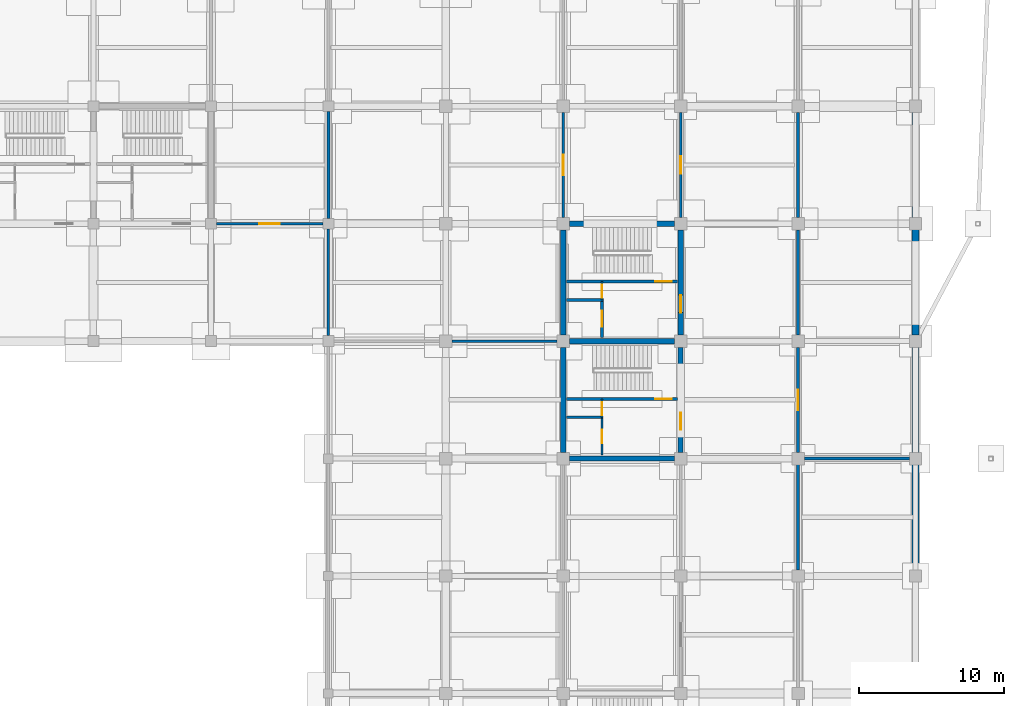
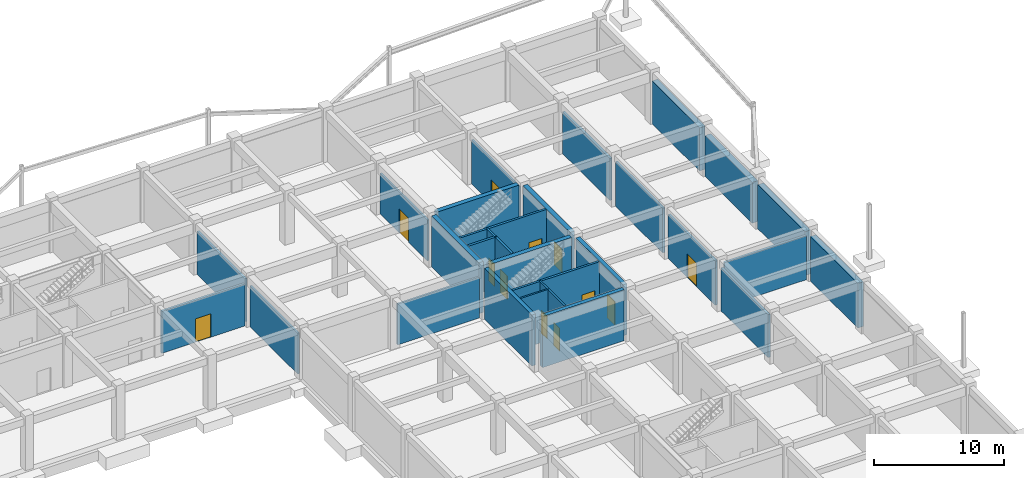
# One storey, part 53 of 67: 30 walls, 12 doors, 12 openings.
"""IFC4 building model written with IfcOpenShell, lengths in metres."""

from ifc_helpers import new_model, si_unit, direction, frame, frame_2d, origin, place, context, subcontext, project, spatial, rectangle, extrude, material, layer, layer_set, type_object, element, fill, save


model = new_model("IFC4")

# Units and contexts
model_context = context("Model", 3, precision=1e-05, world=origin(), true_north=direction((0.0, 1.0)))
body_context = subcontext(model_context, "Body", "Model", "MODEL_VIEW")
ifc_project = project(units=[si_unit("LENGTHUNIT", "METRE"), si_unit("AREAUNIT", "SQUARE_METRE"), si_unit("VOLUMEUNIT", "CUBIC_METRE"), si_unit("PLANEANGLEUNIT", "RADIAN"), si_unit("MASSUNIT", "GRAM", prefix="KILO")], contexts=[model_context])

# Site, building, storey
site_placement = place(None, origin())
site = spatial("IfcSite", under=ifc_project, at=site_placement, CompositionType="ELEMENT")
building_placement = place(site_placement, origin())
building = spatial("IfcBuilding", under=site, at=building_placement, Name="Vaudrelin Polytechnic", CompositionType="ELEMENT")
storey_placement = place(building_placement, frame((0.0, 0.0, -5.10009765625)))
storey = spatial("IfcBuildingStorey", under=building, at=storey_placement, Name="B1", CompositionType="ELEMENT", Elevation=-5.10009765625)

# Wall, opening, door
ifc_material_1 = material(Name="Concrete masonry unit 20 MPa shaft & corridor fire wall", Category="masonry")
ifc_layer_1 = layer(ifc_material_1, 0.199951171875)
ifc_layer_set_1 = layer_set([ifc_layer_1], Name="Concrete masonry unit 20 MPa shaft & corridor fire wall")
wall_type_1 = type_object("IfcWallType", Name="WAL-PW-FIRE120", PredefinedType="PARTITIONING", material=ifc_layer_set_1)
wall_1_placement = place(storey_placement, frame((121.873046875, 105.300048828125, 0.0), z_axis=(0.0, 0.0, 1.0), x_axis=(1.0, 0.0, 0.0)))
wall_1 = element("IfcWall", 1, at=wall_1_placement, inside=storey, type_object=wall_type_1, Name="Partition B1-015 S", PredefinedType="PARTITIONING", context=body_context, shape_type="SweptSolid", body=[
    extrude(rectangle(XDim=7.35400390625, YDim=0.199951171875, at=frame_2d((3.677001953125, 0.0))), origin(), (0.0, 0.0, 1.0), 3.93212890625),
])
opening_1_placement = place(wall_1_placement, frame((2.97705078125, 0.0, 0.0)))
opening_1 = element("IfcOpeningElement", 2, at=opening_1_placement, cuts=wall_1, Name="Opening D-B1-402", PredefinedType="OPENING", context=body_context, shape_type="SweptSolid", body=[
    extrude(rectangle(XDim=1.39990234375, YDim=2.199951171875, at=frame_2d((0.699951171875, 1.10009765625))), frame((0.0, 0.10986328125, 0.0), z_axis=(0.0, -1.0, 0.0), x_axis=(1.0, 0.0, 0.0)), (0.0, 0.0, 1.0), 0.219970703125),
])
ifc_material_2 = material(Name="Pressed galvanised steel acoustic leaf", Category="steel")
door_type_1 = type_object("IfcDoorType", Name="DOR-ID-PLT1", OperationType="NOTDEFINED", PredefinedType="DOOR", material=ifc_material_2)
door_1_placement = place(opening_1_placement, origin())
door_1 = element("IfcDoor", 3, at=door_1_placement, inside=storey, type_object=door_type_1, Name="Transformer Vault and UPS Room door B1-015", OperationType="DOUBLE_SWING_LEFT", OverallHeight=2.199951171875, OverallWidth=1.39990234375, PredefinedType="DOOR", context=body_context, shape_type="SweptSolid", body=[
    extrude(rectangle(XDim=1.39990234375, YDim=2.199951171875, at=frame_2d((0.699951171875, 1.10009765625))), frame((0.0, 0.02490234375, 0.0), z_axis=(0.0, -1.0, 0.0), x_axis=(1.0, 0.0, 0.0)), (0.0, 0.0, 1.0), 0.050048828125),
])
fill(opening_1, door_1)

# Walls
wall_2_placement = place(storey_placement, frame((129.60009765625, 105.673095703125, 0.0), z_axis=(0.0, 0.0, 1.0), x_axis=(0.0, 1.0, 0.0)))
element("IfcWall", 4, at=wall_2_placement, inside=storey, type_object=wall_type_1, Name="Partition B1-015 E", PredefinedType="PARTITIONING", context=body_context, shape_type="SweptSolid", body=[
    extrude(rectangle(XDim=7.35400390625, YDim=0.199951171875, at=frame_2d((3.677001953125, 0.0))), origin(), (0.0, 0.0, 1.0), 4.031982421875),
])
wall_3_placement = place(storey_placement, frame((162.0, 81.423095703125, 0.0), z_axis=(0.0, 0.0, 1.0), x_axis=(0.0, 1.0, 0.0)))
element("IfcWall", 5, at=wall_3_placement, inside=storey, type_object=wall_type_1, Name="Partition B1-027 W", PredefinedType="PARTITIONING", context=body_context, shape_type="SweptSolid", body=[
    extrude(rectangle(XDim=7.25390625, YDim=0.199951171875, at=frame_2d((3.626953125, 0.0))), origin(), (0.0, 0.0, 1.0), 4.031982421875),
])
wall_4_placement = place(storey_placement, frame((162.423095703125, 89.10009765625, 0.0), z_axis=(0.0, 0.0, 1.0), x_axis=(1.0, 0.0, 0.0)))
element("IfcWall", 6, at=wall_4_placement, inside=storey, type_object=wall_type_1, Name="Partition B1-027 N", PredefinedType="PARTITIONING", context=body_context, shape_type="SweptSolid", body=[
    extrude(rectangle(XDim=7.25390625, YDim=0.199951171875, at=frame_2d((3.626953125, 0.0))), origin(), (0.0, 0.0, 1.0), 4.132080078125),
])

# Wall, opening, door
wall_5_placement = place(storey_placement, frame((162.0, 89.52294921875, 0.0), z_axis=(0.0, 0.0, 1.0), x_axis=(0.0, 1.0, 0.0)))
wall_5 = element("IfcWall", 7, at=wall_5_placement, inside=storey, type_object=wall_type_1, Name="Partition B1-028 W", PredefinedType="PARTITIONING", context=body_context, shape_type="SweptSolid", body=[
    extrude(rectangle(XDim=7.254150390625, YDim=0.199951171875, at=frame_2d((3.626953125, 0.0))), origin(), (0.0, 0.0, 1.0), 4.132080078125),
])
opening_2_placement = place(wall_5_placement, frame((2.927001953125, 0.0, 0.0)))
opening_2 = element("IfcOpeningElement", 8, at=opening_2_placement, cuts=wall_5, Name="Opening D-B1-414", PredefinedType="OPENING", context=body_context, shape_type="SweptSolid", body=[
    extrude(rectangle(XDim=1.39990234375, YDim=2.199951171875, at=frame_2d((0.699951171875, 1.10009765625))), frame((0.0, 0.10986328125, 0.0), z_axis=(0.0, -1.0, 0.0), x_axis=(1.0, 0.0, 0.0)), (0.0, 0.0, 1.0), 0.219970703125),
])
door_2_placement = place(opening_2_placement, origin())
door_2 = element("IfcDoor", 9, at=door_2_placement, inside=storey, type_object=door_type_1, Name="Campus Receiving and Waste Compaction Room door B1-028", OperationType="DOUBLE_SWING_LEFT", OverallHeight=2.199951171875, OverallWidth=1.39990234375, PredefinedType="DOOR", context=body_context, shape_type="SweptSolid", body=[
    extrude(rectangle(XDim=1.39990234375, YDim=2.199951171875, at=frame_2d((0.699951171875, 1.10009765625))), frame((0.0, 0.02490234375, 0.0), z_axis=(0.0, -1.0, 0.0), x_axis=(1.0, 0.0, 0.0)), (0.0, 0.0, 1.0), 0.050048828125),
])
fill(opening_2, door_2)

# Walls
wall_6_placement = place(storey_placement, frame((162.0, 97.623046875, 0.0), z_axis=(0.0, 0.0, 1.0), x_axis=(0.0, 1.0, 0.0)))
element("IfcWall", 10, at=wall_6_placement, inside=storey, type_object=wall_type_1, Name="Partition B1-028 W", PredefinedType="PARTITIONING", context=body_context, shape_type="SweptSolid", body=[
    extrude(rectangle(XDim=7.25390625, YDim=0.199951171875, at=frame_2d((3.626953125, 0.0))), origin(), (0.0, 0.0, 1.0), 4.18212890625),
])
wall_7_placement = place(storey_placement, frame((162.0, 105.722900390625, 0.0), z_axis=(0.0, 0.0, 1.0), x_axis=(0.0, 1.0, 0.0)))
element("IfcWall", 11, at=wall_7_placement, inside=storey, type_object=wall_type_1, Name="Partition B1-028 W", PredefinedType="PARTITIONING", context=body_context, shape_type="SweptSolid", body=[
    extrude(rectangle(XDim=7.254150390625, YDim=0.199951171875, at=frame_2d((3.626953125, 0.0))), origin(), (0.0, 0.0, 1.0), 3.93212890625),
])

# Wall, opening, door
ifc_material_3 = material(Name="Fire-rated steel-stud gypsum compartment wall", Category="steel")
ifc_layer_2 = layer(ifc_material_3, 0.14990234375)
ifc_layer_set_2 = layer_set([ifc_layer_2], Name="Fire-rated steel-stud gypsum compartment wall")
wall_type_2 = type_object("IfcWallType", Name="WAL-PW-FIRE60", PredefinedType="PARTITIONING", material=ifc_layer_set_2)
wall_8_placement = place(storey_placement, frame((148.47998046875, 100.050048828125, 0.0), z_axis=(0.0, 0.0, 1.0), x_axis=(0.0, 1.0, 0.0)))
wall_8 = element("IfcWall", 12, at=wall_8_placement, inside=storey, type_object=wall_type_2, Name="Core C6 riser enclosure wall B1", PredefinedType="PARTITIONING", context=body_context, shape_type="SweptSolid", body=[
    extrude(rectangle(XDim=1.260009765625, YDim=0.14990234375, at=frame_2d((0.6298828125, 0.0))), origin(), (0.0, 0.0, 1.0), 4.781982421875),
])
opening_3_placement = place(wall_8_placement, frame((0.139892578125, 0.0, 0.0)))
opening_3 = element("IfcOpeningElement", 13, at=opening_3_placement, cuts=wall_8, Name="Opening D-B1-086", PredefinedType="OPENING", context=body_context, shape_type="SweptSolid", body=[
    extrude(rectangle(XDim=0.89990234375, YDim=2.14990234375, at=frame_2d((0.449951171875, 1.074951171875))), frame((0.0, 0.0849609375, 0.0), z_axis=(0.0, -1.0, 0.0), x_axis=(1.0, 0.0, 0.0)), (0.0, 0.0, 1.0), 0.169921875),
])
door_type_2 = type_object("IfcDoorType", Name="DOR-ID-RSR1", OperationType="NOTDEFINED", PredefinedType="DOOR", material=ifc_material_2)
door_3_placement = place(opening_3_placement, origin())
door_3 = element("IfcDoor", 14, at=door_3_placement, inside=storey, type_object=door_type_2, Name="Core C6 riser access door B1", OperationType="SINGLE_SWING_RIGHT", OverallHeight=2.14990234375, OverallWidth=0.89990234375, PredefinedType="DOOR", context=body_context, shape_type="SweptSolid", body=[
    extrude(rectangle(XDim=0.89990234375, YDim=2.14990234375, at=frame_2d((0.449951171875, 1.074951171875))), frame((0.0, 0.02490234375, 0.0), z_axis=(0.0, -1.0, 0.0), x_axis=(1.0, 0.0, 0.0)), (0.0, 0.0, 1.0), 0.050048828125),
])
fill(opening_3, door_3)

wall_9_placement = place(storey_placement, frame((148.47998046875, 91.949951171875, 0.0), z_axis=(0.0, 0.0, 1.0), x_axis=(0.0, 1.0, 0.0)))
wall_9 = element("IfcWall", 15, at=wall_9_placement, inside=storey, type_object=wall_type_2, Name="Core C13 riser enclosure wall B1", PredefinedType="PARTITIONING", context=body_context, shape_type="SweptSolid", body=[
    extrude(rectangle(XDim=1.260009765625, YDim=0.14990234375, at=frame_2d((0.6298828125, 0.0))), origin(), (0.0, 0.0, 1.0), 4.781982421875),
])
opening_4_placement = place(wall_9_placement, frame((0.139892578125, 0.0, 0.0)))
opening_4 = element("IfcOpeningElement", 16, at=opening_4_placement, cuts=wall_9, Name="Opening D-B1-295", PredefinedType="OPENING", context=body_context, shape_type="SweptSolid", body=[
    extrude(rectangle(XDim=0.89990234375, YDim=2.14990234375, at=frame_2d((0.449951171875, 1.074951171875))), frame((0.0, 0.0849609375, 0.0), z_axis=(0.0, -1.0, 0.0), x_axis=(1.0, 0.0, 0.0)), (0.0, 0.0, 1.0), 0.169921875),
])
door_4_placement = place(opening_4_placement, origin())
door_4 = element("IfcDoor", 17, at=door_4_placement, inside=storey, type_object=door_type_2, Name="Core C13 riser access door B1", OperationType="SINGLE_SWING_RIGHT", OverallHeight=2.14990234375, OverallWidth=0.89990234375, PredefinedType="DOOR", context=body_context, shape_type="SweptSolid", body=[
    extrude(rectangle(XDim=0.89990234375, YDim=2.14990234375, at=frame_2d((0.449951171875, 1.074951171875))), frame((0.0, 0.02490234375, 0.0), z_axis=(0.0, -1.0, 0.0), x_axis=(1.0, 0.0, 0.0)), (0.0, 0.0, 1.0), 0.050048828125),
])
fill(opening_4, door_4)

# Wall
wall_10_placement = place(storey_placement, frame((146.02001953125, 91.949951171875, 0.0), z_axis=(0.0, 0.0, 1.0), x_axis=(1.0, 0.0, 0.0)))
element("IfcWall", 18, at=wall_10_placement, inside=storey, type_object=wall_type_2, Name="Core C13 riser south fire wall B1", PredefinedType="PARTITIONING", context=body_context, shape_type="SweptSolid", body=[
    extrude(rectangle(XDim=2.530029296875, YDim=0.14990234375, at=frame_2d((1.26513671875, 0.0))), origin(), (0.0, 0.0, 1.0), 4.781982421875),
])

# Wall, opening, door
wall_11_placement = place(storey_placement, frame((148.47998046875, 89.35009765625, 0.0), z_axis=(0.0, 0.0, 1.0), x_axis=(0.0, 1.0, 0.0)))
wall_11 = element("IfcWall", 19, at=wall_11_placement, inside=storey, type_object=wall_type_2, Name="Core C13 custodial enclosure wall B1", PredefinedType="PARTITIONING", context=body_context, shape_type="SweptSolid", body=[
    extrude(rectangle(XDim=2.599853515625, YDim=0.14990234375, at=frame_2d((1.2998046875, 0.0))), origin(), (0.0, 0.0, 1.0), 4.781982421875),
])
opening_5_placement = place(wall_11_placement, frame((0.800048828125, 0.0, 0.0)))
opening_5 = element("IfcOpeningElement", 20, at=opening_5_placement, cuts=wall_11, Name="Opening D-B1-296", PredefinedType="OPENING", context=body_context, shape_type="SweptSolid", body=[
    extrude(rectangle(XDim=0.949951171875, YDim=2.14990234375, at=frame_2d((0.47509765625, 1.074951171875))), frame((0.0, 0.0849609375, 0.0), z_axis=(0.0, -1.0, 0.0), x_axis=(1.0, 0.0, 0.0)), (0.0, 0.0, 1.0), 0.169921875),
])
door_type_3 = type_object("IfcDoorType", Name="DOR-ID-STR1", OperationType="NOTDEFINED", PredefinedType="DOOR", material=ifc_material_2)
door_5_placement = place(opening_5_placement, origin())
door_5 = element("IfcDoor", 21, at=door_5_placement, inside=storey, type_object=door_type_3, Name="Core C13 custodial door B1", OperationType="SINGLE_SWING_RIGHT", OverallHeight=2.14990234375, OverallWidth=0.949951171875, PredefinedType="DOOR", context=body_context, shape_type="SweptSolid", body=[
    extrude(rectangle(XDim=0.949951171875, YDim=2.14990234375, at=frame_2d((0.47509765625, 1.074951171875))), frame((0.0, 0.02490234375, 0.0), z_axis=(0.0, -1.0, 0.0), x_axis=(1.0, 0.0, 0.0)), (0.0, 0.0, 1.0), 0.050048828125),
])
fill(opening_5, door_5)

# Wall
ifc_material_4 = material(Name="Moisture- and chemical-resistant laboratory partition", Category="gypsum")
ifc_layer_3 = layer(ifc_material_4, 0.159912109375)
ifc_layer_set_3 = layer_set([ifc_layer_3], Name="Moisture- and chemical-resistant laboratory partition")
wall_type_3 = type_object("IfcWallType", Name="WAL-PW-LAB160", PredefinedType="PARTITIONING", material=ifc_layer_set_3)
wall_12_placement = place(storey_placement, frame((138.123046875, 97.199951171875, 0.0), z_axis=(0.0, 0.0, 1.0), x_axis=(1.0, 0.0, 0.0)))
element("IfcWall", 22, at=wall_12_placement, inside=storey, type_object=wall_type_3, Name="Partition B1-021 N", PredefinedType="PARTITIONING", context=body_context, shape_type="SweptSolid", body=[
    extrude(rectangle(XDim=7.25390625, YDim=0.159912109375, at=frame_2d((3.626953125, 0.0))), origin(), (0.0, 0.0, 1.0), 3.83203125),
])

# Wall, opening, door
wall_13_placement = place(storey_placement, frame((145.800048828125, 105.722900390625, 0.0), z_axis=(0.0, 0.0, 1.0), x_axis=(0.0, 1.0, 0.0)))
wall_13 = element("IfcWall", 23, at=wall_13_placement, inside=storey, type_object=wall_type_3, Name="Partition B1-023 E", PredefinedType="PARTITIONING", context=body_context, shape_type="SweptSolid", body=[
    extrude(rectangle(XDim=7.254150390625, YDim=0.159912109375, at=frame_2d((3.626953125, 0.0))), origin(), (0.0, 0.0, 1.0), 3.83203125),
])
opening_6_placement = place(wall_13_placement, frame((2.9169921875, 0.0, 0.0)))
opening_6 = element("IfcOpeningElement", 24, at=opening_6_placement, cuts=wall_13, Name="Opening D-B1-410", PredefinedType="OPENING", context=body_context, shape_type="SweptSolid", body=[
    extrude(rectangle(XDim=1.419921875, YDim=2.25, at=frame_2d((0.7099609375, 1.125))), frame((0.0, 0.08984375, 0.0), z_axis=(0.0, -1.0, 0.0), x_axis=(1.0, 0.0, 0.0)), (0.0, 0.0, 1.0), 0.179931640625),
])
door_type_4 = type_object("IfcDoorType", Name="DOR-ID-LAB4", OperationType="NOTDEFINED", PredefinedType="DOOR", material=ifc_material_2)
door_6_placement = place(opening_6_placement, origin())
door_6 = element("IfcDoor", 25, at=door_6_placement, inside=storey, type_object=door_type_4, Name="High-Voltage Power Systems Laboratory door B1-023", OperationType="DOUBLE_SWING_LEFT", OverallHeight=2.25, OverallWidth=1.419921875, PredefinedType="DOOR", context=body_context, shape_type="SweptSolid", body=[
    extrude(rectangle(XDim=1.419921875, YDim=2.25, at=frame_2d((0.7099609375, 1.125))), frame((0.0, 0.02490234375, 0.0), z_axis=(0.0, -1.0, 0.0), x_axis=(1.0, 0.0, 0.0)), (0.0, 0.0, 1.0), 0.050048828125),
])
fill(opening_6, door_6)

# Wall
wall_14_placement = place(storey_placement, frame((129.60009765625, 97.572998046875, 0.0), z_axis=(0.0, 0.0, 1.0), x_axis=(0.0, 1.0, 0.0)))
element("IfcWall", 26, at=wall_14_placement, inside=storey, type_object=wall_type_3, Name="Partition B1-023 W", PredefinedType="PARTITIONING", context=body_context, shape_type="SweptSolid", body=[
    extrude(rectangle(XDim=7.35400390625, YDim=0.159912109375, at=frame_2d((3.677001953125, 0.0))), origin(), (0.0, 0.0, 1.0), 3.83203125),
])

# Wall, opening, door
wall_15_placement = place(storey_placement, frame((153.89990234375, 105.722900390625, 0.0), z_axis=(0.0, 0.0, 1.0), x_axis=(0.0, 1.0, 0.0)))
wall_15 = element("IfcWall", 27, at=wall_15_placement, inside=storey, type_object=wall_type_3, Name="Partition B1-024 E", PredefinedType="PARTITIONING", context=body_context, shape_type="SweptSolid", body=[
    extrude(rectangle(XDim=7.254150390625, YDim=0.159912109375, at=frame_2d((3.626953125, 0.0))), origin(), (0.0, 0.0, 1.0), 4.132080078125),
])
opening_7_placement = place(wall_15_placement, frame((3.027099609375, 0.0, 0.0)))
opening_7 = element("IfcOpeningElement", 28, at=opening_7_placement, cuts=wall_15, Name="Opening D-B1-411", PredefinedType="OPENING", context=body_context, shape_type="SweptSolid", body=[
    extrude(rectangle(XDim=1.199951171875, YDim=2.199951171875, at=frame_2d((0.60009765625, 1.10009765625))), frame((0.0, 0.08984375, 0.0), z_axis=(0.0, -1.0, 0.0), x_axis=(1.0, 0.0, 0.0)), (0.0, 0.0, 1.0), 0.179931640625),
])
door_type_5 = type_object("IfcDoorType", Name="DOR-ID-LAB2", OperationType="NOTDEFINED", PredefinedType="DOOR", material=ifc_material_2)
door_7_placement = place(opening_7_placement, origin())
door_7 = element("IfcDoor", 29, at=door_7_placement, inside=storey, type_object=door_type_5, Name="Dielectric Testing Alcove Laboratory door B1-024", OperationType="SINGLE_SWING_RIGHT", OverallHeight=2.199951171875, OverallWidth=1.199951171875, PredefinedType="DOOR", context=body_context, shape_type="SweptSolid", body=[
    extrude(rectangle(XDim=1.199951171875, YDim=2.199951171875, at=frame_2d((0.60009765625, 1.10009765625))), frame((0.0, 0.02490234375, 0.0), z_axis=(0.0, -1.0, 0.0), x_axis=(1.0, 0.0, 0.0)), (0.0, 0.0, 1.0), 0.050048828125),
])
fill(opening_7, door_7)

ifc_material_5 = material(Name="Concrete 40 MPa", Category="concrete")
ifc_layer_4 = layer(ifc_material_5, 0.199951171875)
ifc_layer_set_4 = layer_set([ifc_layer_4], Name="Concrete 40 MPa")
wall_type_4 = type_object("IfcWallType", Name="WAL-SW-CORE200", PredefinedType="SHEAR", material=ifc_layer_set_4)
wall_16_placement = place(storey_placement, frame((146.02001953125, 101.31005859375, 0.0), z_axis=(0.0, 0.0, 1.0), x_axis=(1.0, 0.0, 0.0)))
wall_16 = element("IfcWall", 30, at=wall_16_placement, inside=storey, type_object=wall_type_4, Name="Core C6 stair enclosure wall B1", PredefinedType="SHEAR", context=body_context, shape_type="SweptSolid", body=[
    extrude(rectangle(XDim=7.659912109375, YDim=0.199951171875, at=frame_2d((3.830078125, 0.0))), origin(), (0.0, 0.0, 1.0), 4.781982421875),
])
opening_8_placement = place(wall_16_placement, frame((6.110107421875, 0.0, 0.0)))
opening_8 = element("IfcOpeningElement", 31, at=opening_8_placement, cuts=wall_16, Name="Opening D-B1-085", PredefinedType="OPENING", context=body_context, shape_type="SweptSolid", body=[
    extrude(rectangle(XDim=1.14990234375, YDim=2.199951171875, at=frame_2d((0.574951171875, 1.10009765625))), frame((0.0, 0.10986328125, 0.0), z_axis=(0.0, -1.0, 0.0), x_axis=(1.0, 0.0, 0.0)), (0.0, 0.0, 1.0), 0.219970703125),
])
door_type_6 = type_object("IfcDoorType", Name="DOR-ID-ST1", OperationType="NOTDEFINED", PredefinedType="DOOR", material=ifc_material_2)
door_8_placement = place(opening_8_placement, origin())
door_8 = element("IfcDoor", 32, at=door_8_placement, inside=storey, type_object=door_type_6, Name="Core C6 exit stair door B1", OperationType="SINGLE_SWING_LEFT", OverallHeight=2.199951171875, OverallWidth=1.14990234375, PredefinedType="DOOR", context=body_context, shape_type="SweptSolid", body=[
    extrude(rectangle(XDim=1.14990234375, YDim=2.199951171875, at=frame_2d((0.574951171875, 1.10009765625))), frame((0.0, 0.02490234375, 0.0), z_axis=(0.0, -1.0, 0.0), x_axis=(1.0, 0.0, 0.0)), (0.0, 0.0, 1.0), 0.050048828125),
])
fill(opening_8, door_8)

wall_17_placement = place(storey_placement, frame((148.47998046875, 97.449951171875, 0.0), z_axis=(0.0, 0.0, 1.0), x_axis=(0.0, 1.0, 0.0)))
wall_17 = element("IfcWall", 33, at=wall_17_placement, inside=storey, type_object=wall_type_4, Name="Lift LF-06 shaft front wall B1", PredefinedType="SHEAR", context=body_context, shape_type="SweptSolid", body=[
    extrude(rectangle(XDim=2.60009765625, YDim=0.199951171875, at=frame_2d((1.300048828125, 0.0))), origin(), (0.0, 0.0, 1.0), 4.781982421875),
])
opening_9_placement = place(wall_17_placement, frame((0.75, 0.0, 0.0)))
opening_9 = element("IfcOpeningElement", 34, at=opening_9_placement, cuts=wall_17, Name="Opening LD-LF-06-B1", PredefinedType="OPENING", context=body_context, shape_type="SweptSolid", body=[
    extrude(rectangle(XDim=1.10009765625, YDim=2.199951171875, at=frame_2d((0.550048828125, 1.10009765625))), frame((0.0, 0.10986328125, 0.0), z_axis=(0.0, -1.0, 0.0), x_axis=(1.0, 0.0, 0.0)), (0.0, 0.0, 1.0), 0.219970703125),
])
ifc_material_6 = material(Name="Brushed stainless steel AISI 304", Category="steel")
door_type_7 = type_object("IfcDoorType", Name="DOR-LD-PAX", OperationType="SLIDING_TO_LEFT", PredefinedType="DOOR", material=ifc_material_6)
door_9_placement = place(opening_9_placement, origin())
door_9 = element("IfcDoor", 35, at=door_9_placement, inside=storey, type_object=door_type_7, Name="Lift LF-06 landing door B1", OperationType="SLIDING_TO_LEFT", OverallHeight=2.199951171875, OverallWidth=1.10009765625, PredefinedType="DOOR", context=body_context, shape_type="SweptSolid", body=[
    extrude(rectangle(XDim=1.10009765625, YDim=2.199951171875, at=frame_2d((0.550048828125, 1.10009765625))), frame((0.0, 0.02490234375, 0.0), z_axis=(0.0, -1.0, 0.0), x_axis=(1.0, 0.0, 0.0)), (0.0, 0.0, 1.0), 0.050048828125),
])
fill(opening_9, door_9)

# Wall
wall_18_placement = place(storey_placement, frame((146.02001953125, 100.050048828125, 0.0), z_axis=(0.0, 0.0, 1.0), x_axis=(1.0, 0.0, 0.0)))
element("IfcWall", 36, at=wall_18_placement, inside=storey, type_object=wall_type_4, Name="Lift LF-06 shaft north wall B1", PredefinedType="SHEAR", context=body_context, shape_type="SweptSolid", body=[
    extrude(rectangle(XDim=2.56005859375, YDim=0.199951171875, at=frame_2d((1.280029296875, 0.0))), origin(), (0.0, 0.0, 1.0), 4.781982421875),
])

# Wall, opening, door
wall_19_placement = place(storey_placement, frame((146.02001953125, 93.2099609375, 0.0), z_axis=(0.0, 0.0, 1.0), x_axis=(1.0, 0.0, 0.0)))
wall_19 = element("IfcWall", 37, at=wall_19_placement, inside=storey, type_object=wall_type_4, Name="Core C13 stair enclosure wall B1", PredefinedType="SHEAR", context=body_context, shape_type="SweptSolid", body=[
    extrude(rectangle(XDim=7.659912109375, YDim=0.199951171875, at=frame_2d((3.830078125, 0.0))), origin(), (0.0, 0.0, 1.0), 4.781982421875),
])
opening_10_placement = place(wall_19_placement, frame((6.110107421875, 0.0, 0.0)))
opening_10 = element("IfcOpeningElement", 38, at=opening_10_placement, cuts=wall_19, Name="Opening D-B1-294", PredefinedType="OPENING", context=body_context, shape_type="SweptSolid", body=[
    extrude(rectangle(XDim=1.14990234375, YDim=2.199951171875, at=frame_2d((0.574951171875, 1.10009765625))), frame((0.0, 0.10986328125, 0.0), z_axis=(0.0, -1.0, 0.0), x_axis=(1.0, 0.0, 0.0)), (0.0, 0.0, 1.0), 0.219970703125),
])
door_10_placement = place(opening_10_placement, origin())
door_10 = element("IfcDoor", 39, at=door_10_placement, inside=storey, type_object=door_type_6, Name="Core C13 exit stair door B1", OperationType="SINGLE_SWING_LEFT", OverallHeight=2.199951171875, OverallWidth=1.14990234375, PredefinedType="DOOR", context=body_context, shape_type="SweptSolid", body=[
    extrude(rectangle(XDim=1.14990234375, YDim=2.199951171875, at=frame_2d((0.574951171875, 1.10009765625))), frame((0.0, 0.02490234375, 0.0), z_axis=(0.0, -1.0, 0.0), x_axis=(1.0, 0.0, 0.0)), (0.0, 0.0, 1.0), 0.050048828125),
])
fill(opening_10, door_10)

# Wall
ifc_material_7 = material(Name="Concrete 50 MPa", Category="concrete")
ifc_layer_5 = layer(ifc_material_7, 0.35009765625)
ifc_layer_set_5 = layer_set([ifc_layer_5], Name="Concrete 50 MPa")
wall_type_5 = type_object("IfcWallType", Name="WAL-SW-CORE350", PredefinedType="SHEAR", material=ifc_layer_set_5)
wall_20_placement = place(storey_placement, frame((145.800048828125, 89.52294921875, 0.0), z_axis=(0.0, 0.0, 1.0), x_axis=(0.0, 1.0, 0.0)))
element("IfcWall", 40, at=wall_20_placement, inside=storey, type_object=wall_type_5, Name="Core C13 W shear wall B1", PredefinedType="SHEAR", context=body_context, shape_type="SweptSolid", body=[
    extrude(rectangle(XDim=7.254150390625, YDim=0.35009765625, at=frame_2d((3.626953125, 0.0))), origin(), (0.0, 0.0, 1.0), 4.781982421875),
])

# Wall, opening, door
wall_21_placement = place(storey_placement, frame((153.89990234375, 89.52294921875, 0.0), z_axis=(0.0, 0.0, 1.0), x_axis=(0.0, 1.0, 0.0)))
wall_21 = element("IfcWall", 41, at=wall_21_placement, inside=storey, type_object=wall_type_5, Name="Core C13 E shear wall B1", PredefinedType="SHEAR", context=body_context, shape_type="SweptSolid", body=[
    extrude(rectangle(XDim=7.254150390625, YDim=0.35009765625, at=frame_2d((3.626953125, 0.0))), origin(), (0.0, 0.0, 1.0), 4.781982421875),
])
opening_11_placement = place(wall_21_placement, frame((1.550048828125, 0.0, 0.0)))
opening_11 = element("IfcOpeningElement", 42, at=opening_11_placement, cuts=wall_21, Name="Opening D-B1-293", PredefinedType="OPENING", context=body_context, shape_type="SweptSolid", body=[
    extrude(rectangle(XDim=1.199951171875, YDim=2.199951171875, at=frame_2d((0.60009765625, 1.10009765625))), frame((0.0, 0.18505859375, 0.0), z_axis=(0.0, -1.0, 0.0), x_axis=(1.0, 0.0, 0.0)), (0.0, 0.0, 1.0), 0.3701171875),
])
door_type_8 = type_object("IfcDoorType", Name="DOR-ID-LB1", OperationType="NOTDEFINED", PredefinedType="DOOR", material=ifc_material_2)
door_11_placement = place(opening_11_placement, origin())
door_11 = element("IfcDoor", 43, at=door_11_placement, inside=storey, type_object=door_type_8, Name="Core C13 lobby fire door B1", OperationType="SINGLE_SWING_LEFT", OverallHeight=2.199951171875, OverallWidth=1.199951171875, PredefinedType="DOOR", context=body_context, shape_type="SweptSolid", body=[
    extrude(rectangle(XDim=1.199951171875, YDim=2.199951171875, at=frame_2d((0.60009765625, 1.10009765625))), frame((0.0, 0.02490234375, 0.0), z_axis=(0.0, -1.0, 0.0), x_axis=(1.0, 0.0, 0.0)), (0.0, 0.0, 1.0), 0.050048828125),
])
fill(opening_11, door_11)

# Walls
wall_22_placement = place(storey_placement, frame((146.222900390625, 89.10009765625, 0.0), z_axis=(0.0, 0.0, 1.0), x_axis=(1.0, 0.0, 0.0)))
element("IfcWall", 44, at=wall_22_placement, inside=storey, type_object=wall_type_5, Name="Core C13 S shear wall B1", PredefinedType="SHEAR", context=body_context, shape_type="SweptSolid", body=[
    extrude(rectangle(XDim=7.254150390625, YDim=0.35009765625, at=frame_2d((3.626953125, 0.0))), origin(), (0.0, 0.0, 1.0), 4.781982421875),
])
ifc_layer_6 = layer(ifc_material_7, 0.39990234375)
ifc_layer_set_6 = layer_set([ifc_layer_6], Name="Concrete 50 MPa")
wall_type_6 = type_object("IfcWallType", Name="WAL-SW-CORE400", PredefinedType="SHEAR", material=ifc_layer_set_6)
wall_23_placement = place(storey_placement, frame((146.222900390625, 105.300048828125, 0.0), z_axis=(0.0, 0.0, 1.0), x_axis=(1.0, 0.0, 0.0)))
element("IfcWall", 45, at=wall_23_placement, inside=storey, type_object=wall_type_6, Name="Core C6 N shear wall B1", PredefinedType="SHEAR", context=body_context, shape_type="SweptSolid", body=[
    extrude(rectangle(XDim=7.254150390625, YDim=0.39990234375, at=frame_2d((3.626953125, 0.0))), origin(), (0.0, 0.0, 1.0), 4.781982421875),
])
wall_24_placement = place(storey_placement, frame((145.800048828125, 97.623046875, 0.0), z_axis=(0.0, 0.0, 1.0), x_axis=(0.0, 1.0, 0.0)))
element("IfcWall", 46, at=wall_24_placement, inside=storey, type_object=wall_type_6, Name="Core C6 W shear wall B1", PredefinedType="SHEAR", context=body_context, shape_type="SweptSolid", body=[
    extrude(rectangle(XDim=7.25390625, YDim=0.39990234375, at=frame_2d((3.626953125, 0.0))), origin(), (0.0, 0.0, 1.0), 4.781982421875),
])

# Wall, opening, door
wall_25_placement = place(storey_placement, frame((153.89990234375, 97.623046875, 0.0), z_axis=(0.0, 0.0, 1.0), x_axis=(0.0, 1.0, 0.0)))
wall_25 = element("IfcWall", 47, at=wall_25_placement, inside=storey, type_object=wall_type_6, Name="Core C6 E shear wall B1", PredefinedType="SHEAR", context=body_context, shape_type="SweptSolid", body=[
    extrude(rectangle(XDim=7.25390625, YDim=0.39990234375, at=frame_2d((3.626953125, 0.0))), origin(), (0.0, 0.0, 1.0), 4.781982421875),
])
opening_12_placement = place(wall_25_placement, frame((1.550048828125, 0.0, 0.0)))
opening_12 = element("IfcOpeningElement", 48, at=opening_12_placement, cuts=wall_25, Name="Opening D-B1-084", PredefinedType="OPENING", context=body_context, shape_type="SweptSolid", body=[
    extrude(rectangle(XDim=1.199951171875, YDim=2.199951171875, at=frame_2d((0.60009765625, 1.10009765625))), frame((0.0, 0.2099609375, 0.0), z_axis=(0.0, -1.0, 0.0), x_axis=(1.0, 0.0, 0.0)), (0.0, 0.0, 1.0), 0.419921875),
])
door_12_placement = place(opening_12_placement, origin())
door_12 = element("IfcDoor", 49, at=door_12_placement, inside=storey, type_object=door_type_8, Name="Core C6 lobby fire door B1", OperationType="SINGLE_SWING_RIGHT", OverallHeight=2.199951171875, OverallWidth=1.199951171875, PredefinedType="DOOR", context=body_context, shape_type="SweptSolid", body=[
    extrude(rectangle(XDim=1.199951171875, YDim=2.199951171875, at=frame_2d((0.60009765625, 1.10009765625))), frame((0.0, 0.02490234375, 0.0), z_axis=(0.0, -1.0, 0.0), x_axis=(1.0, 0.0, 0.0)), (0.0, 0.0, 1.0), 0.050048828125),
])
fill(opening_12, door_12)

# Walls
wall_26_placement = place(storey_placement, frame((146.222900390625, 97.199951171875, 0.0), z_axis=(0.0, 0.0, 1.0), x_axis=(1.0, 0.0, 0.0)))
element("IfcWall", 50, at=wall_26_placement, inside=storey, type_object=wall_type_6, Name="Core C6 S shear wall B1", PredefinedType="SHEAR", context=body_context, shape_type="SweptSolid", body=[
    extrude(rectangle(XDim=7.254150390625, YDim=0.39990234375, at=frame_2d((3.626953125, 0.0))), origin(), (0.0, 0.0, 1.0), 4.781982421875),
])
ifc_material_8 = material(Name="Concrete 35 MPa", Category="concrete")
ifc_layer_7 = layer(ifc_material_8, 0.5)
ifc_layer_set_7 = layer_set([ifc_layer_7], Name="Concrete 35 MPa")
wall_type_7 = type_object("IfcWallType", Name="WAL-SW-RET500", PredefinedType="SOLIDWALL", material=ifc_layer_set_7)
wall_27_placement = place(storey_placement, frame((170.10009765625, 81.409912109375, 0.0), z_axis=(0.0, 0.0, 1.0), x_axis=(0.0, 1.0, 0.0)))
element("IfcWall", 51, at=wall_27_placement, inside=storey, type_object=wall_type_7, Name="Basement retaining wall RET-E-V4-9", PredefinedType="SOLIDWALL", context=body_context, shape_type="SweptSolid", body=[
    extrude(rectangle(XDim=7.280029296875, YDim=0.5, at=frame_2d((3.64013671875, 0.0))), origin(), (0.0, 0.0, 1.0), 4.18017578125),
])
wall_28_placement = place(storey_placement, frame((170.10009765625, 89.510009765625, 0.0), z_axis=(0.0, 0.0, 1.0), x_axis=(0.0, 1.0, 0.0)))
element("IfcWall", 52, at=wall_28_placement, inside=storey, type_object=wall_type_7, Name="Basement retaining wall RET-E-V4-10", PredefinedType="SOLIDWALL", context=body_context, shape_type="SweptSolid", body=[
    extrude(rectangle(XDim=7.280029296875, YDim=0.5, at=frame_2d((3.64013671875, 0.0))), origin(), (0.0, 0.0, 1.0), 4.130126953125),
])
wall_29_placement = place(storey_placement, frame((170.10009765625, 97.610107421875, 0.0), z_axis=(0.0, 0.0, 1.0), x_axis=(0.0, 1.0, 0.0)))
element("IfcWall", 53, at=wall_29_placement, inside=storey, type_object=wall_type_7, Name="Basement retaining wall RET-E-V4-11", PredefinedType="SOLIDWALL", context=body_context, shape_type="SweptSolid", body=[
    extrude(rectangle(XDim=7.27978515625, YDim=0.5, at=frame_2d((3.639892578125, 0.0))), origin(), (0.0, 0.0, 1.0), 3.830078125),
])
wall_30_placement = place(storey_placement, frame((170.10009765625, 105.7099609375, 0.0), z_axis=(0.0, 0.0, 1.0), x_axis=(0.0, 1.0, 0.0)))
element("IfcWall", 54, at=wall_30_placement, inside=storey, type_object=wall_type_7, Name="Basement retaining wall RET-E-V4-12", PredefinedType="SOLIDWALL", context=body_context, shape_type="SweptSolid", body=[
    extrude(rectangle(XDim=7.280029296875, YDim=0.5, at=frame_2d((3.64013671875, 0.0))), origin(), (0.0, 0.0, 1.0), 4.030029296875),
])

save(model, "model.ifc")
